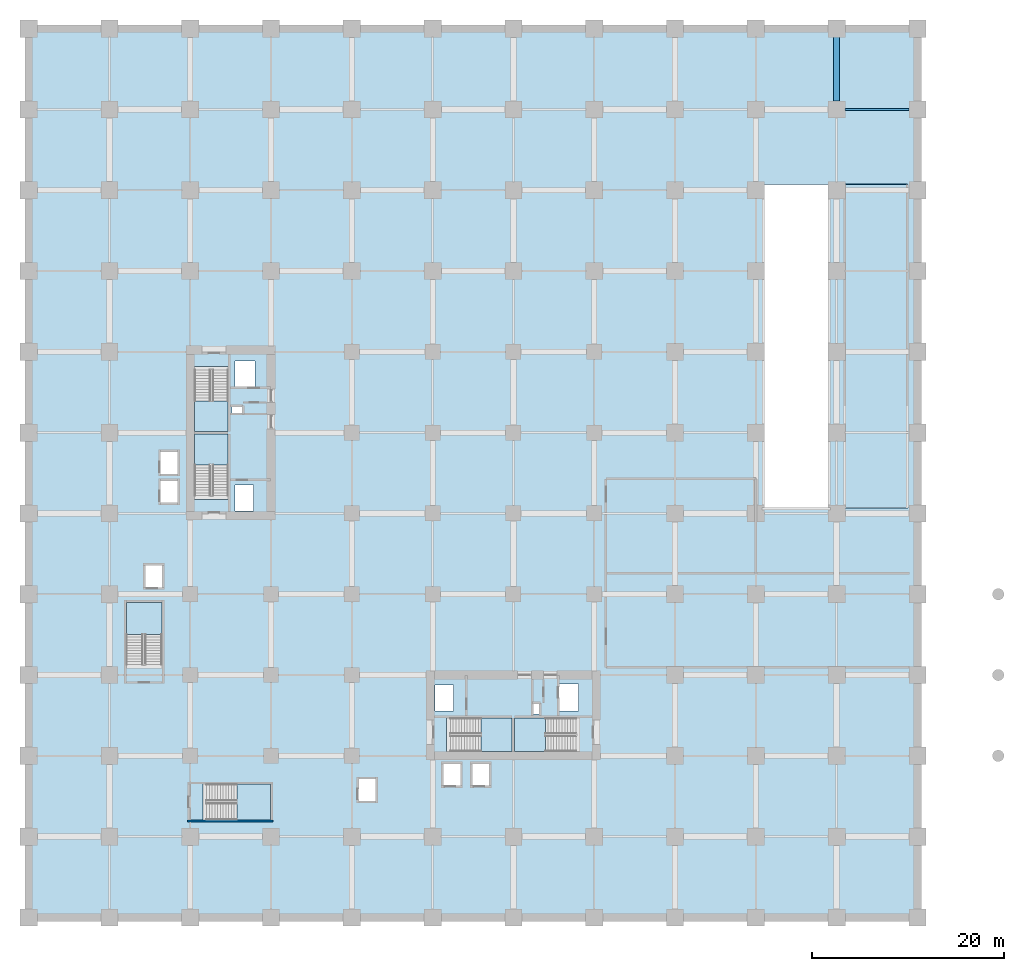
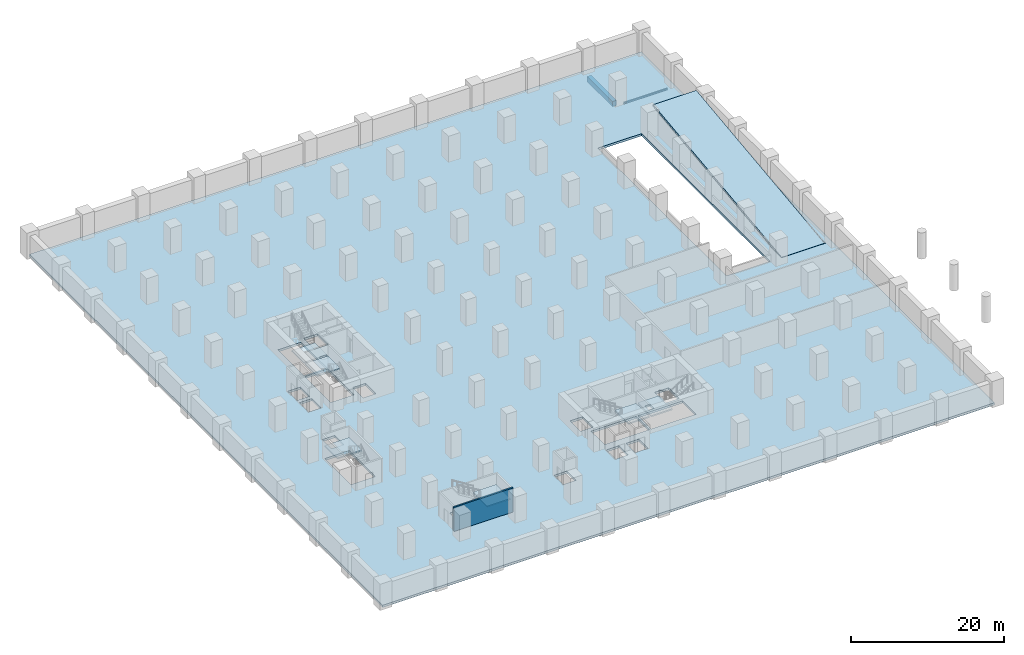
# One storey, part 4 of 13: 8 slabs, 2 beams, 1 wall, 6 elements without a shape of their own.
"""IFC4 building model written with IfcOpenShell, lengths in metres."""

from ifc_helpers import new_model, si_unit, direction, frame, frame_2d, origin, origin_2d, place, context, subcontext, project, spatial, polyline, rectangle, i_section, outline, extrude, material, layer, layer_set, material_profile, profile_set, type_object, element, aggregate, save


model = new_model("IFC4")

# Units and contexts
model_context = context("Model", 3, precision=1e-05, world=origin(), true_north=direction((0.0, 1.0)))
body_context = subcontext(model_context, "Body", "Model", "MODEL_VIEW")
ifc_project = project(units=[si_unit("LENGTHUNIT", "METRE"), si_unit("AREAUNIT", "SQUARE_METRE"), si_unit("VOLUMEUNIT", "CUBIC_METRE"), si_unit("PLANEANGLEUNIT", "RADIAN"), si_unit("MASSUNIT", "GRAM", prefix="KILO")], contexts=[model_context])

# Site, building, storey
site_placement = place(None, origin())
site = spatial("IfcSite", under=ifc_project, at=site_placement, CompositionType="ELEMENT")
building_placement = place(site_placement, origin())
building = spatial("IfcBuilding", under=site, at=building_placement, Name="Koriwani Terraces Tower", CompositionType="ELEMENT")
storey_placement = place(building_placement, frame((0.0, 0.0, -4.199951171875)))
storey = spatial("IfcBuildingStorey", under=building, at=storey_placement, Name="B01", CompositionType="ELEMENT", Elevation=-4.199951171875)

# Beams
ifc_material_1 = material(Name="Concrete C60/75", Category="concrete")
ifc_material_profile_1 = material_profile(ifc_material_1, rectangle(XDim=0.60009765625, YDim=0.85009765625, at=origin_2d()), Name="Concrete C60/75", Category="LoadBearing")
ifc_profile_set_1 = profile_set([ifc_material_profile_1], Name="Concrete C60/75")
beam_type_1 = type_object("IfcBeamType", Name="BEAM_RC_GRID_600X850", PredefinedType="BEAM", material=ifc_profile_set_1)
beam_1_placement = place(storey_placement, frame((84.0, 84.8798828125, -0.775146484375), z_axis=(0.0, 1.0, 0.0), x_axis=(-1.0, 0.0, 0.0)))
element("IfcBeam", 1, at=beam_1_placement, inside=storey, type_object=beam_type_1, Name="B01 Grid Beam 11 (84.0-92.4m)", PredefinedType="BEAM", context=body_context, shape_type="SweptSolid", body=[
    extrude(rectangle(XDim=0.60009765625, YDim=0.85009765625, at=origin_2d()), origin(), (0.0, 0.0, 1.0), 6.64013671875),
])
ifc_material_2 = material(Name="Steel ASTM A572 Grade 50", Category="steel")
ifc_material_profile_2 = material_profile(ifc_material_2, i_section(OverallWidth=0.205078125, OverallDepth=0.31005859375, WebThickness=0.009521484375, FlangeThickness=0.016357421875, at=origin_2d()), Name="Steel ASTM A572 Grade 50", Category="LoadBearing")
ifc_profile_set_2 = profile_set([ifc_material_profile_2], Name="Steel ASTM A572 Grade 50")
beam_type_2 = type_object("IfcBeamType", Name="STEEL_BEAM_W310X74", PredefinedType="JOIST", material=ifc_profile_set_2)
beam_2_placement = place(storey_placement, frame((84.8798828125, 84.0, -0.505126953125), z_axis=(1.0, 0.0, 0.0), x_axis=(0.0, 1.0, 0.0)))
element("IfcBeam", 2, at=beam_2_placement, inside=storey, type_object=beam_type_2, Name="B01 Grid Beam K (84.0-92.4m)", PredefinedType="JOIST", context=body_context, shape_type="SweptSolid", body=[
    extrude(i_section(OverallWidth=0.205078125, OverallDepth=0.31005859375, WebThickness=0.009521484375, FlangeThickness=0.016357421875, at=origin_2d()), origin(), (0.0, 0.0, 1.0), 6.64013671875),
])

# Slab
ifc_material_3 = material(Name="Concrete C50/60", Category="concrete")
ifc_layer_1 = layer(ifc_material_3, 0.35009765625, Name="Concrete C50/60")
ifc_layer_set_1 = layer_set([ifc_layer_1], Name="Concrete C50/60")
slab_type_1 = type_object("IfcSlabType", Name="SLAB_PODIUM_350", PredefinedType="FLOOR", material=ifc_layer_set_1)
slab_1_placement = place(storey_placement, frame((0.0, 0.0, -0.35009765625)))
element("IfcSlab", 3, at=slab_1_placement, inside=storey, type_object=slab_type_1, Name="B01 Structural Floor Slab", PredefinedType="FLOOR", context=body_context, shape_type="SweptSolid", body=[
    extrude(outline(polyline([(0.0, 0.0), (92.39990234375, 0.0), (92.39990234375, 92.39990234375), (0.0, 92.39990234375), (0.0, 0.0)]), holes=[polyline([(17.25, 43.4599609375), (20.75, 43.4599609375), (20.75, 50.25), (17.25, 50.25), (17.25, 43.4599609375)]), polyline([(17.25, 50.5), (20.75, 50.5), (20.75, 57.2900390625), (17.25, 57.2900390625), (17.25, 50.5)]), polyline([(43.4599609375, 17.25), (50.25, 17.25), (50.25, 20.75), (43.4599609375, 20.75), (43.4599609375, 17.25)]), polyline([(50.5, 17.25), (57.2900390625, 17.25), (57.2900390625, 20.75), (50.5, 20.75), (50.5, 17.25)]), polyline([(10.14990234375, 25.909912109375), (13.85009765625, 25.909912109375), (13.85009765625, 32.75), (10.14990234375, 32.75), (10.14990234375, 25.909912109375)]), polyline([(18.110107421875, 10.14990234375), (25.14990234375, 10.14990234375), (25.14990234375, 13.85009765625), (18.110107421875, 13.85009765625), (18.110107421875, 10.14990234375)]), polyline([(12.050048828125, 34.25), (13.949951171875, 34.25), (13.949951171875, 36.64990234375), (12.050048828125, 36.64990234375), (12.050048828125, 34.25)]), polyline([(34.25, 12.050048828125), (36.14990234375, 12.050048828125), (36.14990234375, 14.449951171875), (34.25, 14.449951171875), (34.25, 12.050048828125)]), polyline([(13.64990234375, 43.050048828125), (15.550048828125, 43.050048828125), (15.550048828125, 45.449951171875), (13.64990234375, 45.449951171875), (13.64990234375, 43.050048828125)]), polyline([(13.64990234375, 46.050048828125), (15.550048828125, 46.050048828125), (15.550048828125, 48.449951171875), (13.64990234375, 48.449951171875), (13.64990234375, 46.050048828125)]), polyline([(43.050048828125, 13.64990234375), (44.949951171875, 13.64990234375), (44.949951171875, 16.050048828125), (43.050048828125, 16.050048828125), (43.050048828125, 13.64990234375)]), polyline([(46.050048828125, 13.64990234375), (47.949951171875, 13.64990234375), (47.949951171875, 16.050048828125), (46.050048828125, 16.050048828125), (46.050048828125, 13.64990234375)]), polyline([(21.449951171875, 55.050048828125), (23.550048828125, 55.050048828125), (23.550048828125, 57.85009765625), (21.449951171875, 57.85009765625), (21.449951171875, 55.050048828125)]), polyline([(55.050048828125, 21.449951171875), (57.14990234375, 21.449951171875), (57.14990234375, 24.25), (55.050048828125, 24.25), (55.050048828125, 21.449951171875)]), polyline([(21.449951171875, 42.25), (23.35009765625, 42.25), (23.35009765625, 44.949951171875), (21.449951171875, 44.949951171875), (21.449951171875, 42.25)]), polyline([(42.25, 21.449951171875), (44.14990234375, 21.449951171875), (44.14990234375, 24.14990234375), (42.25, 24.14990234375), (42.25, 21.449951171875)]), polyline([(21.14990234375, 52.419921875), (22.219970703125, 52.419921875), (22.219970703125, 53.179931640625), (21.14990234375, 53.179931640625), (21.14990234375, 52.419921875)]), polyline([(52.419921875, 21.14990234375), (53.179931640625, 21.14990234375), (53.179931640625, 22.219970703125), (52.419921875, 22.219970703125), (52.419921875, 21.14990234375)]), polyline([(76.5, 42.60009765625), (83.10009765625, 42.60009765625), (83.10009765625, 76.199951171875), (76.5, 76.199951171875), (76.5, 42.60009765625)]), polyline([(84.800048828125, 42.550048828125), (91.39990234375, 42.550048828125), (91.39990234375, 45.449951171875), (84.800048828125, 45.449951171875), (84.800048828125, 42.550048828125)])]), origin(), (0.0, 0.0, 1.0), 0.35009765625),
])

# Stair, slab
ifc_material_4 = material(Name="Concrete C40/50", Category="concrete")
stair_type_1 = type_object("IfcStairType", Name="STAIR_CORE_DOGLEG_1650", PredefinedType="TWO_STRAIGHT_RUN_STAIR", material=ifc_material_4)
stair_1_placement = place(storey_placement, origin())
stair_1 = element("IfcStair", 4, at=stair_1_placement, inside=storey, type_object=stair_type_1, Name="B01 West Core Exit Stair 1", PredefinedType="HALF_TURN_STAIR")
ifc_layer_2 = layer(ifc_material_4, 0.199951171875, Name="Concrete C40/50")
ifc_layer_set_2 = layer_set([ifc_layer_2], Name="Concrete C40/50")
slab_type_2 = type_object("IfcSlabType", Name="SLAB_STAIR_LANDING_200", PredefinedType="LANDING", material=ifc_layer_set_2)
slab_2_placement = place(storey_placement, frame((0.0, 0.0, 1.89990234375)))
slab_2 = element("IfcSlab", 5, at=slab_2_placement, type_object=slab_type_2, Name="ST-W1 landing 1", PredefinedType="LANDING", context=body_context, shape_type="SweptSolid", body=[
    extrude(outline(polyline([(20.75, 47.0400390625), (20.75, 50.25), (17.25, 50.25), (17.25, 47.0400390625), (20.75, 47.0400390625)])), origin(), (0.0, 0.0, 1.0), 0.199951171875),
])
aggregate(stair_1, [slab_2])

stair_2_placement = place(storey_placement, origin())
stair_2 = element("IfcStair", 6, at=stair_2_placement, inside=storey, type_object=stair_type_1, Name="B01 West Core Exit Stair 2", PredefinedType="HALF_TURN_STAIR")
slab_3_placement = place(storey_placement, frame((0.0, 0.0, 1.89990234375)))
slab_3 = element("IfcSlab", 7, at=slab_3_placement, type_object=slab_type_2, Name="ST-W2 landing 1", PredefinedType="LANDING", context=body_context, shape_type="SweptSolid", body=[
    extrude(outline(polyline([(17.25, 53.7099609375), (17.25, 50.5), (20.75, 50.5), (20.75, 53.7099609375), (17.25, 53.7099609375)])), origin(), (0.0, 0.0, 1.0), 0.199951171875),
])
aggregate(stair_2, [slab_3])

stair_3_placement = place(storey_placement, origin())
stair_3 = element("IfcStair", 8, at=stair_3_placement, inside=storey, type_object=stair_type_1, Name="B01 East Core Exit Stair 1", PredefinedType="HALF_TURN_STAIR")
slab_4_placement = place(storey_placement, frame((0.0, 0.0, 1.89990234375)))
slab_4 = element("IfcSlab", 9, at=slab_4_placement, type_object=slab_type_2, Name="ST-E1 landing 1", PredefinedType="LANDING", context=body_context, shape_type="SweptSolid", body=[
    extrude(outline(polyline([(47.0400390625, 17.25), (50.25, 17.25), (50.25, 20.75), (47.0400390625, 20.75), (47.0400390625, 17.25)])), origin(), (0.0, 0.0, 1.0), 0.199951171875),
])
aggregate(stair_3, [slab_4])

stair_4_placement = place(storey_placement, origin())
stair_4 = element("IfcStair", 10, at=stair_4_placement, inside=storey, type_object=stair_type_1, Name="B01 East Core Exit Stair 2", PredefinedType="HALF_TURN_STAIR")
slab_5_placement = place(storey_placement, frame((0.0, 0.0, 1.89990234375)))
slab_5 = element("IfcSlab", 11, at=slab_5_placement, type_object=slab_type_2, Name="ST-E2 landing 1", PredefinedType="LANDING", context=body_context, shape_type="SweptSolid", body=[
    extrude(outline(polyline([(53.7099609375, 20.75), (50.5, 20.75), (50.5, 17.25), (53.7099609375, 17.25), (53.7099609375, 20.75)])), origin(), (0.0, 0.0, 1.0), 0.199951171875),
])
aggregate(stair_4, [slab_5])

stair_type_2 = type_object("IfcStairType", Name="STAIR_PODIUM_DOGLEG_1750", PredefinedType="TWO_STRAIGHT_RUN_STAIR", material=ifc_material_4)
stair_5_placement = place(storey_placement, origin())
stair_5 = element("IfcStair", 12, at=stair_5_placement, inside=storey, type_object=stair_type_2, Name="B01 Podium West Exit Stair", PredefinedType="HALF_TURN_STAIR")
slab_6_placement = place(storey_placement, frame((0.0, 0.0, 1.89990234375)))
slab_6 = element("IfcSlab", 13, at=slab_6_placement, type_object=slab_type_2, Name="ST-P1 landing 1", PredefinedType="LANDING", context=body_context, shape_type="SweptSolid", body=[
    extrude(outline(polyline([(13.85009765625, 29.43505859375), (13.85009765625, 32.75), (10.14990234375, 32.75), (10.14990234375, 29.43505859375), (13.85009765625, 29.43505859375)])), origin(), (0.0, 0.0, 1.0), 0.199951171875),
])
aggregate(stair_5, [slab_6])

stair_6_placement = place(storey_placement, origin())
stair_6 = element("IfcStair", 14, at=stair_6_placement, inside=storey, type_object=stair_type_2, Name="B01 Podium South Exit Stair", PredefinedType="HALF_TURN_STAIR")
slab_7_placement = place(storey_placement, frame((0.0, 0.0, 1.89990234375)))
slab_7 = element("IfcSlab", 15, at=slab_7_placement, type_object=slab_type_2, Name="ST-P2 landing 1", PredefinedType="LANDING", context=body_context, shape_type="SweptSolid", body=[
    extrude(outline(polyline([(21.635009765625, 10.14990234375), (25.14990234375, 10.14990234375), (25.14990234375, 13.85009765625), (21.635009765625, 13.85009765625), (21.635009765625, 10.14990234375)])), origin(), (0.0, 0.0, 1.0), 0.199951171875),
])
aggregate(stair_6, [slab_7])

# Slab
ifc_layer_3 = layer(ifc_material_4, 0.300048828125, Name="Concrete C40/50")
ifc_layer_set_3 = layer_set([ifc_layer_3], Name="Concrete C40/50")
slab_type_3 = type_object("IfcSlabType", Name="SLAB_VEHICLE_RAMP_300", PredefinedType="USERDEFINED", material=ifc_layer_set_3)
slab_8_placement = place(storey_placement, frame((84.85009765625, 42.60009765625, 0.0), z_axis=(0.0, -0.118796712982, 0.992918597361), x_axis=(1.0, 0.0, 0.0)))
element("IfcSlab", 16, at=slab_8_placement, inside=storey, type_object=slab_type_3, Name="Vehicle Car Park Structural Ramp Slab 2 (B01 to L00 Shutter Gate)", ObjectType="RAMP", PredefinedType="USERDEFINED", context=body_context, shape_type="SweptSolid", body=[
    extrude(outline(polyline([(0.0, 0.0), (6.5, 0.0), (6.5, 33.83948453069416), (0.0, 33.83948453069416), (0.0, 0.0)])), origin(), (0.0, 0.0, -1.0), 0.300048828125),
])

# Wall
ifc_layer_4 = layer(ifc_material_4, 0.25, Name="Concrete C40/50")
ifc_layer_set_4 = layer_set([ifc_layer_4], Name="Concrete C40/50")
wall_type = type_object("IfcWallType", Name="WALL_SHAFT_RATED_250", PredefinedType="SOLIDWALL", material=ifc_layer_set_4)
wall_placement = place(storey_placement, frame((16.5, 10.02490234375, 0.0), z_axis=(0.0, 0.0, 1.0), x_axis=(1.0, 0.0, 0.0)))
element("IfcWall", 17, at=wall_placement, inside=storey, type_object=wall_type, Name="B01 Podium Stair ST-P2 South Bearing Wall", PredefinedType="SOLIDWALL", context=body_context, shape_type="SweptSolid", body=[
    extrude(rectangle(XDim=8.89990234375, YDim=0.25, at=frame_2d((4.449951171875, 0.0))), origin(), (0.0, 0.0, 1.0), 3.849853515625),
])

save(model, "model.ifc")
